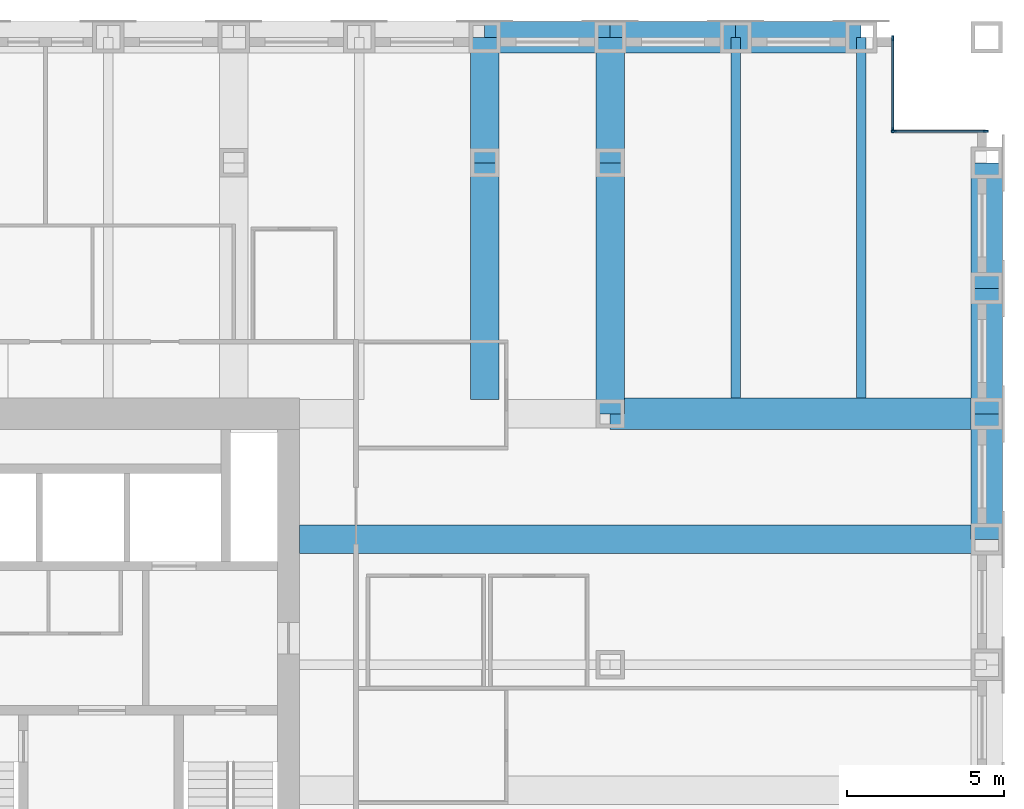
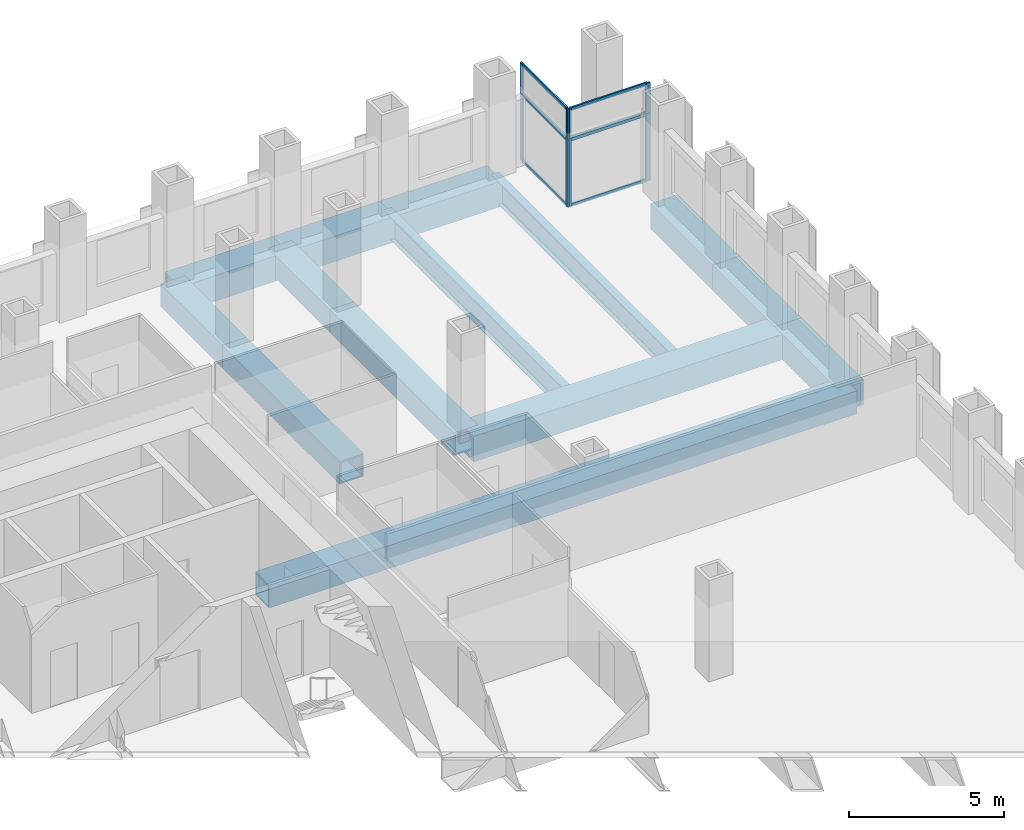
# One storey, part 9 of 17: 16 members, 14 beams, 4 elements without a shape of their own.
"""IFC4 building model written with IfcOpenShell, lengths in metres."""

from ifc_helpers import new_model, si_unit, direction, frame, origin, origin_2d, place, context, subcontext, project, spatial, rectangle, hollow_rectangle, i_section, extrude, material, material_profile, profile_set, type_object, element, aggregate, save


model = new_model("IFC4")

# Units and contexts
model_context = context("Model", 3, precision=1e-05, world=origin(), true_north=direction((0.0, 1.0)))
body_context = subcontext(model_context, "Body", "Model", "MODEL_VIEW")
ifc_project = project(units=[si_unit("LENGTHUNIT", "METRE"), si_unit("AREAUNIT", "SQUARE_METRE"), si_unit("VOLUMEUNIT", "CUBIC_METRE"), si_unit("PLANEANGLEUNIT", "RADIAN"), si_unit("MASSUNIT", "GRAM", prefix="KILO")], contexts=[model_context])

# Site, building, storey
site_placement = place(None, origin())
site = spatial("IfcSite", under=ifc_project, at=site_placement, CompositionType="ELEMENT")
building_placement = place(site_placement, origin())
building = spatial("IfcBuilding", under=site, at=building_placement, Name="Rimbunsela Tower", CompositionType="ELEMENT")
storey_placement = place(building_placement, frame((0.0, 0.0, 101.39990234375)))
storey = spatial("IfcBuildingStorey", under=building, at=storey_placement, Name="L24", CompositionType="ELEMENT", Elevation=101.39990234375)

# Beams
ifc_material_1 = material(Name="Steel BJ 55 (fy 410 MPa)", Category="steel")
ifc_material_profile_1 = material_profile(ifc_material_1, hollow_rectangle(XDim=1.0, YDim=1.0, WallThickness=0.10009765625, at=origin_2d()), Name="BOX 1000x1000x100")
ifc_profile_set_1 = profile_set([ifc_material_profile_1], Name="Steel BJ 55 (fy 410 MPa)")
beam_type_1 = type_object("IfcBeamType", Name="Beam BOX 1000x1000x100", PredefinedType="BEAM", material=ifc_profile_set_1)
beam_1_placement = place(storey_placement, frame((42.0, 48.0, -0.64990234375), z_axis=(1.0, 0.0, 0.0), x_axis=(0.0, 1.0, 0.0)))
element("IfcBeam", 1, at=beam_1_placement, inside=storey, type_object=beam_type_1, Name="Beam B3 L24", PredefinedType="BEAM", context=body_context, shape_type="SweptSolid", body=[
    extrude(hollow_rectangle(XDim=1.0, YDim=1.0, WallThickness=0.10009765625, at=origin_2d()), origin(), (0.0, 0.0, 1.0), 4.0),
])
beam_2_placement = place(storey_placement, frame((46.0, 36.0, -0.64990234375), z_axis=(1.0, 0.0, 0.0), x_axis=(0.0, 1.0, 0.0)))
element("IfcBeam", 2, at=beam_2_placement, inside=storey, type_object=beam_type_1, Name="Beam B3 L24", PredefinedType="BEAM", context=body_context, shape_type="SweptSolid", body=[
    extrude(hollow_rectangle(XDim=1.0, YDim=1.0, WallThickness=0.10009765625, at=origin_2d()), origin(), (0.0, 0.0, 1.0), 12.0),
])
for number, where, z_axis, x_axis, name in (
    (3, (46.0, 48.0, -0.64990234375), (1.0, 0.0, 0.0), (0.0, 1.0, 0.0), "Beam B3 L24"),
    (4, (50.0, 48.0, -0.64990234375), (1.0, 0.0, 0.0), (0.0, 1.0, 0.0), "Beam B3 L24"),
    (5, (58.0, 32.0, -0.64990234375), (0.0, 1.0, 0.0), (-1.0, 0.0, 0.0), "Beam B3 L24"),
    (6, (58.0, 36.0, -0.64990234375), (0.0, 1.0, 0.0), (-1.0, 0.0, 0.0), "Beam B3 L24"),
    (7, (58.0, 40.0, -0.64990234375), (0.0, 1.0, 0.0), (-1.0, 0.0, 0.0), "Beam B3 L24"),
):
    element("IfcBeam", number, at=place(storey_placement, frame(where, z_axis=z_axis, x_axis=x_axis)), inside=storey, type_object=beam_type_1, Name=name, PredefinedType="BEAM", context=body_context, shape_type="SweptSolid", body=[
        extrude(hollow_rectangle(XDim=1.0, YDim=1.0, WallThickness=0.10009765625, at=origin_2d()), origin(), (0.0, 0.0, 1.0), 4.0),
    ])
ifc_material_2 = material(Name="Steel BJ 55 (fy 410 MPa)", Category="steel")
ifc_material_profile_2 = material_profile(ifc_material_2, hollow_rectangle(XDim=0.89990234375, YDim=0.89990234375, WallThickness=0.06005859375, at=origin_2d()), Name="BOX 900x900x60")
ifc_profile_set_2 = profile_set([ifc_material_profile_2], Name="Steel BJ 55 (fy 410 MPa)")
beam_type_2 = type_object("IfcBeamType", Name="Beam BOX 900x900x60", PredefinedType="BEAM", material=ifc_profile_set_2)
beam_3_placement = place(storey_placement, frame((36.10009765625, 32.0, -0.599853515625), z_axis=(1.0, 0.0, 0.0), x_axis=(0.0, 1.0, 0.0)))
element("IfcBeam", 8, at=beam_3_placement, inside=storey, type_object=beam_type_2, Name="Beam B1 L24", PredefinedType="BEAM", context=body_context, shape_type="SweptSolid", body=[
    extrude(hollow_rectangle(XDim=0.89990234375, YDim=0.89990234375, WallThickness=0.06005859375, at=origin_2d()), origin(), (0.0, 0.0, 1.0), 21.89990234375),
])
beam_4_placement = place(storey_placement, frame((42.0, 36.449951171875, -0.599853515625), z_axis=(0.0, 1.0, 0.0), x_axis=(-1.0, 0.0, 0.0)))
element("IfcBeam", 9, at=beam_4_placement, inside=storey, type_object=beam_type_2, Name="Beam B1 L24", PredefinedType="BEAM", context=body_context, shape_type="SweptSolid", body=[
    extrude(hollow_rectangle(XDim=0.89990234375, YDim=0.89990234375, WallThickness=0.06005859375, at=origin_2d()), origin(), (0.0, 0.0, 1.0), 7.550048828125),
])
beam_5_placement = place(storey_placement, frame((42.0, 44.0, -0.599853515625), z_axis=(0.0, 1.0, 0.0), x_axis=(-1.0, 0.0, 0.0)))
element("IfcBeam", 10, at=beam_5_placement, inside=storey, type_object=beam_type_2, Name="Beam B1 L24", PredefinedType="BEAM", context=body_context, shape_type="SweptSolid", body=[
    extrude(hollow_rectangle(XDim=0.89990234375, YDim=0.89990234375, WallThickness=0.06005859375, at=origin_2d()), origin(), (0.0, 0.0, 1.0), 4.0),
])
beam_6_placement = place(storey_placement, frame((46.0, 36.0, -0.599853515625), z_axis=(0.0, 1.0, 0.0), x_axis=(-1.0, 0.0, 0.0)))
element("IfcBeam", 11, at=beam_6_placement, inside=storey, type_object=beam_type_2, Name="Beam B1 L24", PredefinedType="BEAM", context=body_context, shape_type="SweptSolid", body=[
    extrude(hollow_rectangle(XDim=0.89990234375, YDim=0.89990234375, WallThickness=0.06005859375, at=origin_2d()), origin(), (0.0, 0.0, 1.0), 8.0),
])
beam_7_placement = place(storey_placement, frame((46.0, 44.0, -0.599853515625), z_axis=(0.0, 1.0, 0.0), x_axis=(-1.0, 0.0, 0.0)))
element("IfcBeam", 12, at=beam_7_placement, inside=storey, type_object=beam_type_2, Name="Beam B1 L24", PredefinedType="BEAM", context=body_context, shape_type="SweptSolid", body=[
    extrude(hollow_rectangle(XDim=0.89990234375, YDim=0.89990234375, WallThickness=0.06005859375, at=origin_2d()), origin(), (0.0, 0.0, 1.0), 4.0),
])
ifc_material_3 = material(Name="Steel BJ 55 (fy 410 MPa)", Category="steel")
ifc_material_profile_3 = material_profile(ifc_material_3, i_section(OverallWidth=0.300048828125, OverallDepth=0.89990234375, WebThickness=0.01611328125, FlangeThickness=0.028076171875, FilletRadius=0.028076171875, at=origin_2d()), Name="H 900x300x16x28")
ifc_profile_set_3 = profile_set([ifc_material_profile_3], Name="Steel BJ 55 (fy 410 MPa)")
beam_type_3 = type_object("IfcBeamType", Name="Beam H 900x300x16x28", PredefinedType="BEAM", material=ifc_profile_set_3)
for number, where, z_axis, x_axis, name in (
    (13, (50.0, 36.5, -0.599853515625), (0.0, 1.0, 0.0), (-1.0, 0.0, 0.0), "Beam B2 L24"),
    (14, (54.0, 36.5, -0.599853515625), (0.0, 1.0, 0.0), (-1.0, 0.0, 0.0), "Beam B2 L24"),
):
    element("IfcBeam", number, at=place(storey_placement, frame(where, z_axis=z_axis, x_axis=x_axis)), inside=storey, type_object=beam_type_3, Name=name, PredefinedType="BEAM", context=body_context, shape_type="SweptSolid", body=[
        extrude(i_section(OverallWidth=0.300048828125, OverallDepth=0.89990234375, WebThickness=0.01611328125, FlangeThickness=0.028076171875, FilletRadius=0.028076171875, at=origin_2d()), origin(), (0.0, 0.0, 1.0), 11.5),
    ])

# Curtain wall, members
ifc_material_4 = material(Name="Aluminium curtain wall", Category="aluminium")
curtain_wall_type_1 = type_object("IfcCurtainWallType", Name="Corner glazing", PredefinedType="USERDEFINED", material=ifc_material_4)
curtain_wall_1_placement = place(storey_placement, origin())
curtain_wall_1 = element("IfcCurtainWall", 15, at=curtain_wall_1_placement, inside=storey, type_object=curtain_wall_type_1, Name="Corner glazing L24", ObjectType="CORNER GLAZING", PredefinedType="USERDEFINED")
ifc_material_5 = material(Name="Aluminium mullion", Category="aluminium")
ifc_material_profile_4 = material_profile(ifc_material_5, rectangle(XDim=0.06005859375, YDim=0.159912109375, at=origin_2d()), Name="Mullion 60x160")
ifc_profile_set_4 = profile_set([ifc_material_profile_4], Name="Aluminium mullion")
member_type_1 = type_object("IfcMemberType", Name="Curtain wall mullion 60x160", PredefinedType="MULLION", material=ifc_profile_set_4)
member_1_placement = place(storey_placement, frame((57.969970703125, 45.0, 0.0), z_axis=(0.0, 0.0, 1.0), x_axis=(0.0, -1.0, 0.0)))
member_1 = element("IfcMember", 16, at=member_1_placement, type_object=member_type_1, Name="CW5 mullion 1", PredefinedType="MULLION", context=body_context, shape_type="SweptSolid", body=[
    extrude(rectangle(XDim=0.06005859375, YDim=0.159912109375, at=origin_2d()), origin(), (0.0, 0.0, 1.0), 2.650146484375),
])
member_2_placement = place(storey_placement, frame((55.030029296875, 45.0, 0.0), z_axis=(0.0, 0.0, 1.0), x_axis=(0.0, -1.0, 0.0)))
member_2 = element("IfcMember", 17, at=member_2_placement, type_object=member_type_1, Name="CW5 mullion 2", PredefinedType="MULLION", context=body_context, shape_type="SweptSolid", body=[
    extrude(rectangle(XDim=0.06005859375, YDim=0.159912109375, at=origin_2d()), origin(), (0.0, 0.0, 1.0), 2.650146484375),
])

ifc_material_6 = material(Name="Aluminium curtain wall", Category="aluminium")
curtain_wall_type_2 = type_object("IfcCurtainWallType", Name="Spandrel wall", PredefinedType="USERDEFINED", material=ifc_material_6)
curtain_wall_2_placement = place(storey_placement, origin())
curtain_wall_2 = element("IfcCurtainWall", 18, at=curtain_wall_2_placement, inside=storey, type_object=curtain_wall_type_2, Name="Spandrel wall L24", ObjectType="SPANDREL WALL", PredefinedType="USERDEFINED")
member_3_placement = place(storey_placement, frame((57.969970703125, 45.0, 2.650146484375), z_axis=(0.0, 0.0, 1.0), x_axis=(0.0, -1.0, 0.0)))
member_3 = element("IfcMember", 19, at=member_3_placement, type_object=member_type_1, Name="CW7 mullion 1", PredefinedType="MULLION", context=body_context, shape_type="SweptSolid", body=[
    extrude(rectangle(XDim=0.06005859375, YDim=0.159912109375, at=origin_2d()), origin(), (0.0, 0.0, 1.0), 1.199951171875),
])
member_4_placement = place(storey_placement, frame((55.030029296875, 45.0, 2.650146484375), z_axis=(0.0, 0.0, 1.0), x_axis=(0.0, -1.0, 0.0)))
member_4 = element("IfcMember", 20, at=member_4_placement, type_object=member_type_1, Name="CW7 mullion 2", PredefinedType="MULLION", context=body_context, shape_type="SweptSolid", body=[
    extrude(rectangle(XDim=0.06005859375, YDim=0.159912109375, at=origin_2d()), origin(), (0.0, 0.0, 1.0), 1.199951171875),
])

curtain_wall_3_placement = place(storey_placement, origin())
curtain_wall_3 = element("IfcCurtainWall", 21, at=curtain_wall_3_placement, inside=storey, type_object=curtain_wall_type_1, Name="Corner glazing L24", ObjectType="CORNER GLAZING", PredefinedType="USERDEFINED")
member_5_placement = place(storey_placement, frame((55.0, 45.030029296875, 0.0), z_axis=(0.0, 0.0, 1.0), x_axis=(-1.0, 0.0, 0.0)))
member_5 = element("IfcMember", 22, at=member_5_placement, type_object=member_type_1, Name="CW5 mullion 1", PredefinedType="MULLION", context=body_context, shape_type="SweptSolid", body=[
    extrude(rectangle(XDim=0.06005859375, YDim=0.159912109375, at=origin_2d()), origin(), (0.0, 0.0, 1.0), 2.650146484375),
])
member_6_placement = place(storey_placement, frame((55.0, 47.969970703125, 0.0), z_axis=(0.0, 0.0, 1.0), x_axis=(-1.0, 0.0, 0.0)))
member_6 = element("IfcMember", 23, at=member_6_placement, type_object=member_type_1, Name="CW5 mullion 2", PredefinedType="MULLION", context=body_context, shape_type="SweptSolid", body=[
    extrude(rectangle(XDim=0.06005859375, YDim=0.159912109375, at=origin_2d()), origin(), (0.0, 0.0, 1.0), 2.650146484375),
])

curtain_wall_4_placement = place(storey_placement, origin())
curtain_wall_4 = element("IfcCurtainWall", 24, at=curtain_wall_4_placement, inside=storey, type_object=curtain_wall_type_2, Name="Spandrel wall L24", ObjectType="SPANDREL WALL", PredefinedType="USERDEFINED")
member_7_placement = place(storey_placement, frame((55.0, 45.030029296875, 2.650146484375), z_axis=(0.0, 0.0, 1.0), x_axis=(-1.0, 0.0, 0.0)))
member_7 = element("IfcMember", 25, at=member_7_placement, type_object=member_type_1, Name="CW7 mullion 1", PredefinedType="MULLION", context=body_context, shape_type="SweptSolid", body=[
    extrude(rectangle(XDim=0.06005859375, YDim=0.159912109375, at=origin_2d()), origin(), (0.0, 0.0, 1.0), 1.199951171875),
])
member_8_placement = place(storey_placement, frame((55.0, 47.969970703125, 2.650146484375), z_axis=(0.0, 0.0, 1.0), x_axis=(-1.0, 0.0, 0.0)))
member_8 = element("IfcMember", 26, at=member_8_placement, type_object=member_type_1, Name="CW7 mullion 2", PredefinedType="MULLION", context=body_context, shape_type="SweptSolid", body=[
    extrude(rectangle(XDim=0.06005859375, YDim=0.159912109375, at=origin_2d()), origin(), (0.0, 0.0, 1.0), 1.199951171875),
])

# Member
ifc_material_7 = material(Name="Aluminium transom", Category="aluminium")
ifc_material_profile_5 = material_profile(ifc_material_7, rectangle(XDim=0.06005859375, YDim=0.1201171875, at=origin_2d()), Name="Transom 60x120")
ifc_profile_set_5 = profile_set([ifc_material_profile_5], Name="Aluminium transom")
member_type_2 = type_object("IfcMemberType", Name="Curtain wall transom 60x120", PredefinedType="USERDEFINED", material=ifc_profile_set_5)
member_9_placement = place(storey_placement, frame((57.93994140625, 45.0, 0.030029296875), z_axis=(-1.0, 0.0, 0.0), x_axis=(0.0, -1.0, 0.0)))
member_9 = element("IfcMember", 27, at=member_9_placement, type_object=member_type_2, Name="CW5 transom 1.1", ObjectType="TRANSOM", PredefinedType="USERDEFINED", context=body_context, shape_type="SweptSolid", body=[
    extrude(rectangle(XDim=0.06005859375, YDim=0.1201171875, at=origin_2d()), origin(), (0.0, 0.0, 1.0), 2.8798828125),
])

member_10_placement = place(storey_placement, frame((57.93994140625, 45.0, 2.6201171875), z_axis=(-1.0, 0.0, 0.0), x_axis=(0.0, -1.0, 0.0)))
member_10 = element("IfcMember", 28, at=member_10_placement, type_object=member_type_2, Name="CW5 transom 1.2", ObjectType="TRANSOM", PredefinedType="USERDEFINED", context=body_context, shape_type="SweptSolid", body=[
    extrude(rectangle(XDim=0.06005859375, YDim=0.1201171875, at=origin_2d()), origin(), (0.0, 0.0, 1.0), 2.8798828125),
])

aggregate(curtain_wall_1, [member_1, member_2, member_9, member_10])

member_11_placement = place(storey_placement, frame((57.93994140625, 45.0, 2.68017578125), z_axis=(-1.0, 0.0, 0.0), x_axis=(0.0, -1.0, 0.0)))
member_11 = element("IfcMember", 29, at=member_11_placement, type_object=member_type_2, Name="CW7 transom 1.1", ObjectType="TRANSOM", PredefinedType="USERDEFINED", context=body_context, shape_type="SweptSolid", body=[
    extrude(rectangle(XDim=0.06005859375, YDim=0.1201171875, at=origin_2d()), origin(), (0.0, 0.0, 1.0), 2.8798828125),
])

member_12_placement = place(storey_placement, frame((57.93994140625, 45.0, 3.820068359375), z_axis=(-1.0, 0.0, 0.0), x_axis=(0.0, -1.0, 0.0)))
member_12 = element("IfcMember", 30, at=member_12_placement, type_object=member_type_2, Name="CW7 transom 1.2", ObjectType="TRANSOM", PredefinedType="USERDEFINED", context=body_context, shape_type="SweptSolid", body=[
    extrude(rectangle(XDim=0.06005859375, YDim=0.1201171875, at=origin_2d()), origin(), (0.0, 0.0, 1.0), 2.8798828125),
])

aggregate(curtain_wall_2, [member_3, member_4, member_11, member_12])

member_13_placement = place(storey_placement, frame((55.0, 45.06005859375, 0.030029296875), z_axis=(0.0, 1.0, 0.0), x_axis=(-1.0, 0.0, 0.0)))
member_13 = element("IfcMember", 31, at=member_13_placement, type_object=member_type_2, Name="CW5 transom 1.1", ObjectType="TRANSOM", PredefinedType="USERDEFINED", context=body_context, shape_type="SweptSolid", body=[
    extrude(rectangle(XDim=0.06005859375, YDim=0.1201171875, at=origin_2d()), origin(), (0.0, 0.0, 1.0), 2.8798828125),
])

member_14_placement = place(storey_placement, frame((55.0, 45.06005859375, 2.6201171875), z_axis=(0.0, 1.0, 0.0), x_axis=(-1.0, 0.0, 0.0)))
member_14 = element("IfcMember", 32, at=member_14_placement, type_object=member_type_2, Name="CW5 transom 1.2", ObjectType="TRANSOM", PredefinedType="USERDEFINED", context=body_context, shape_type="SweptSolid", body=[
    extrude(rectangle(XDim=0.06005859375, YDim=0.1201171875, at=origin_2d()), origin(), (0.0, 0.0, 1.0), 2.8798828125),
])

aggregate(curtain_wall_3, [member_5, member_6, member_13, member_14])

member_15_placement = place(storey_placement, frame((55.0, 45.06005859375, 2.68017578125), z_axis=(0.0, 1.0, 0.0), x_axis=(-1.0, 0.0, 0.0)))
member_15 = element("IfcMember", 33, at=member_15_placement, type_object=member_type_2, Name="CW7 transom 1.1", ObjectType="TRANSOM", PredefinedType="USERDEFINED", context=body_context, shape_type="SweptSolid", body=[
    extrude(rectangle(XDim=0.06005859375, YDim=0.1201171875, at=origin_2d()), origin(), (0.0, 0.0, 1.0), 2.8798828125),
])

member_16_placement = place(storey_placement, frame((55.0, 45.06005859375, 3.820068359375), z_axis=(0.0, 1.0, 0.0), x_axis=(-1.0, 0.0, 0.0)))
member_16 = element("IfcMember", 34, at=member_16_placement, type_object=member_type_2, Name="CW7 transom 1.2", ObjectType="TRANSOM", PredefinedType="USERDEFINED", context=body_context, shape_type="SweptSolid", body=[
    extrude(rectangle(XDim=0.06005859375, YDim=0.1201171875, at=origin_2d()), origin(), (0.0, 0.0, 1.0), 2.8798828125),
])

aggregate(curtain_wall_4, [member_7, member_8, member_15, member_16])

save(model, "model.ifc")
